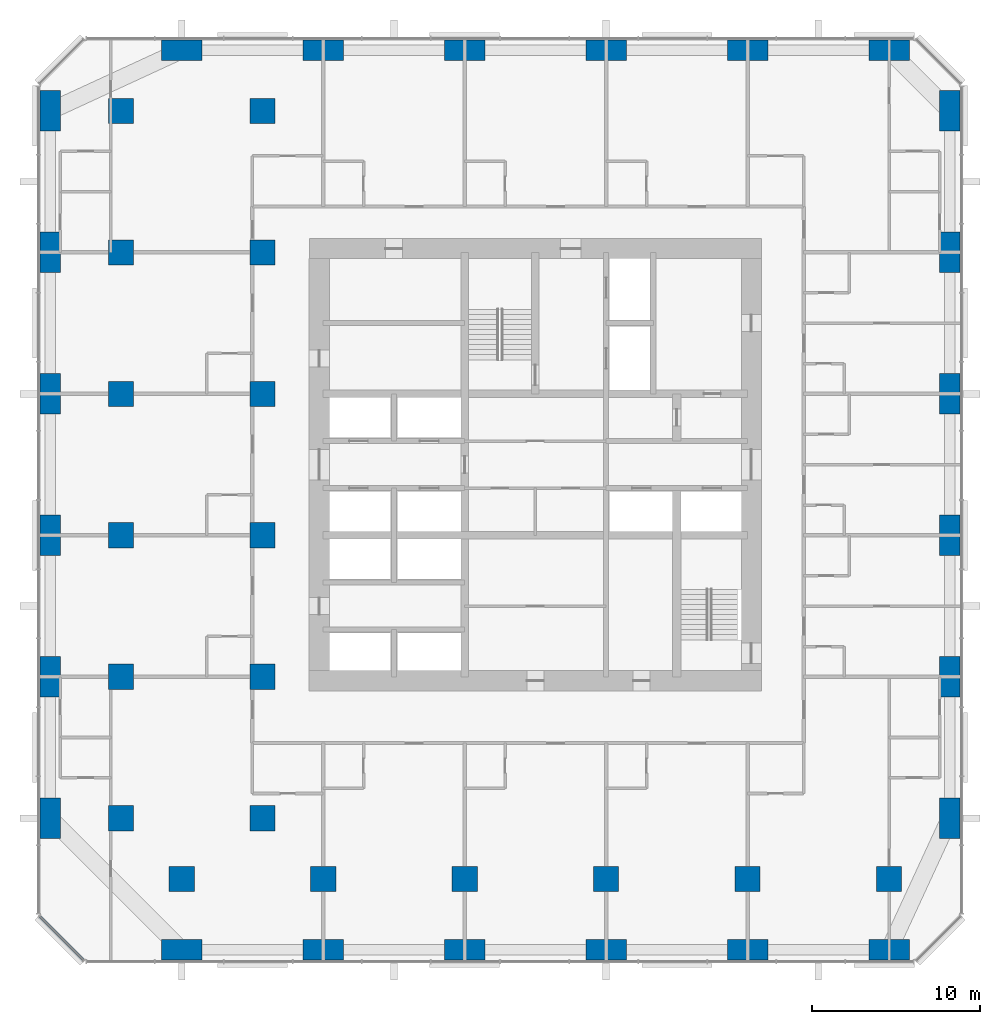
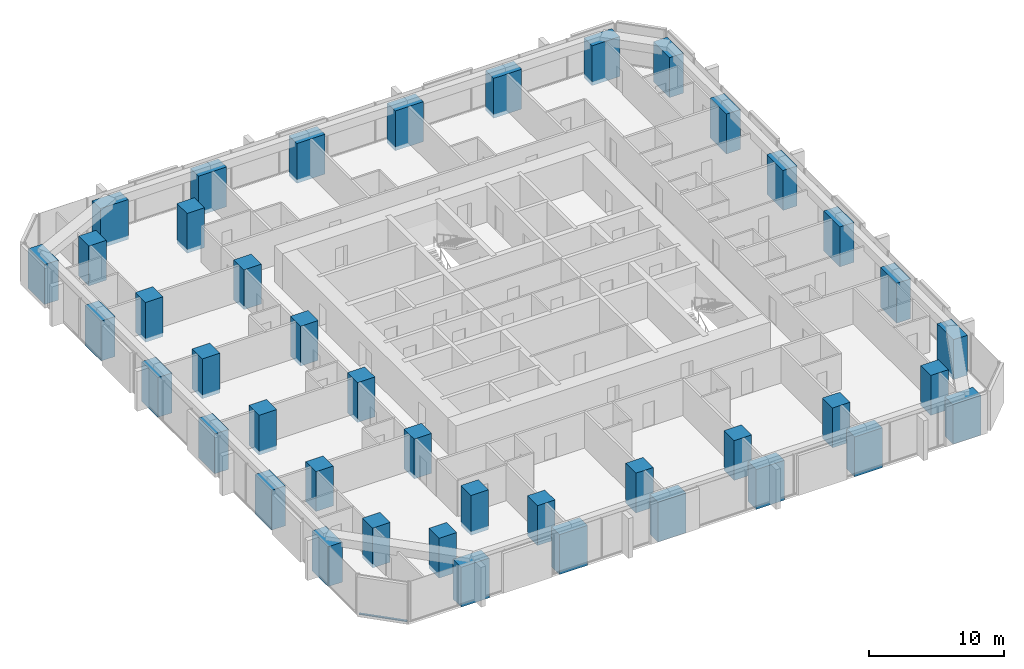
# One storey, part 1 of 13: 42 columns, 1 member, 1 element without a shape of its own.
"""IFC4 building model written with IfcOpenShell, lengths in metres."""

from ifc_helpers import new_model, si_unit, direction, frame, origin, origin_2d, place, context, subcontext, project, spatial, rectangle, extrude, material, material_profile, profile_set, type_object, element, aggregate, save


model = new_model("IFC4")

# Units and contexts
model_context = context("Model", 3, precision=1e-05, world=origin(), true_north=direction((0.0, 1.0)))
body_context = subcontext(model_context, "Body", "Model", "MODEL_VIEW")
ifc_project = project(units=[si_unit("LENGTHUNIT", "METRE"), si_unit("AREAUNIT", "SQUARE_METRE"), si_unit("VOLUMEUNIT", "CUBIC_METRE"), si_unit("PLANEANGLEUNIT", "RADIAN"), si_unit("MASSUNIT", "GRAM", prefix="KILO")], contexts=[model_context])

# Site, building, storey
site_placement = place(None, origin())
site = spatial("IfcSite", under=ifc_project, at=site_placement, CompositionType="ELEMENT")
building_placement = place(site_placement, origin())
building = spatial("IfcBuilding", under=site, at=building_placement, Name="Dunama Terrace Hotel", CompositionType="ELEMENT")
storey_placement = place(building_placement, frame((0.0, 0.0, 115.199951171875)))
storey = spatial("IfcBuildingStorey", under=building, at=storey_placement, Name="L29", CompositionType="ELEMENT", Elevation=115.199951171875)

# Columns
ifc_material_1 = material(Name="Concrete C60/75", Category="concrete")
ifc_material_profile_1 = material_profile(ifc_material_1, rectangle(XDim=1.199951171875, YDim=2.39990234375, at=origin_2d()), Name="RC 1200x2400")
ifc_profile_set_1 = profile_set([ifc_material_profile_1], Name="Concrete C60/75")
column_type_1 = type_object("IfcColumnType", Name="Column RC 1200x2400", PredefinedType="COLUMN", material=ifc_profile_set_1)
for number, where, z_axis, x_axis, name in (
    (1, (0.60009765625, 8.39990234375, -0.349853515625), (0.0, 0.0, 1.0), (1.0, 0.0, 0.0), "Column L29 +0.6/+8.4"),
    (2, (0.60009765625, 16.800048828125, -0.349853515625), (0.0, 0.0, 1.0), (1.0, 0.0, 0.0), "Column L29 +0.6/+16.8"),
    (3, (0.60009765625, 25.199951171875, -0.349853515625), (0.0, 0.0, 1.0), (1.0, 0.0, 0.0), "Column L29 +0.6/+25.2"),
    (4, (0.60009765625, 33.60009765625, -0.349853515625), (0.0, 0.0, 1.0), (1.0, 0.0, 0.0), "Column L29 +0.6/+33.6"),
    (5, (0.60009765625, 42.0, -0.349853515625), (0.0, 0.0, 1.0), (1.0, 0.0, 0.0), "Column L29 +0.6/+42.0"),
    (6, (0.60009765625, 50.39990234375, -0.349853515625), (0.0, 0.0, 1.0), (1.0, 0.0, 0.0), "Column L29 +0.6/+50.4"),
    (7, (54.0, 8.39990234375, -0.349853515625), (0.0, 0.0, 1.0), (1.0, 0.0, 0.0), "Column L29 +54.0/+8.4"),
    (8, (54.0, 16.800048828125, -0.349853515625), (0.0, 0.0, 1.0), (1.0, 0.0, 0.0), "Column L29 +54.0/+16.8"),
    (9, (54.0, 25.199951171875, -0.349853515625), (0.0, 0.0, 1.0), (1.0, 0.0, 0.0), "Column L29 +54.0/+25.2"),
    (10, (54.0, 33.60009765625, -0.349853515625), (0.0, 0.0, 1.0), (1.0, 0.0, 0.0), "Column L29 +54.0/+33.6"),
    (11, (54.0, 42.0, -0.349853515625), (0.0, 0.0, 1.0), (1.0, 0.0, 0.0), "Column L29 +54.0/+42.0"),
    (12, (54.0, 50.39990234375, -0.349853515625), (0.0, 0.0, 1.0), (1.0, 0.0, 0.0), "Column L29 +54.0/+50.4"),
):
    element("IfcColumn", number, at=place(storey_placement, frame(where, z_axis=z_axis, x_axis=x_axis)), inside=storey, type_object=column_type_1, Name=name, PredefinedType="COLUMN", context=body_context, shape_type="SweptSolid", body=[
        extrude(rectangle(XDim=1.199951171875, YDim=2.39990234375, at=origin_2d()), origin(), (0.0, 0.0, 1.0), 3.599853515625),
    ])
ifc_material_2 = material(Name="Concrete C60/75", Category="concrete")
ifc_material_profile_2 = material_profile(ifc_material_2, rectangle(XDim=1.5, YDim=1.5, at=origin_2d()), Name="RC 1500x1500")
ifc_profile_set_2 = profile_set([ifc_material_profile_2], Name="Concrete C60/75")
column_type_2 = type_object("IfcColumnType", Name="Column RC 1500x1500", PredefinedType="COLUMN", material=ifc_profile_set_2)
for number, where, z_axis, x_axis, name in (
    (13, (4.800048828125, 8.39990234375, -0.349853515625), (0.0, 0.0, 1.0), (1.0, 0.0, 0.0), "Column L29 +4.8/+8.4"),
    (14, (4.800048828125, 16.800048828125, -0.349853515625), (0.0, 0.0, 1.0), (1.0, 0.0, 0.0), "Column L29 +4.8/+16.8"),
    (15, (4.800048828125, 25.199951171875, -0.349853515625), (0.0, 0.0, 1.0), (1.0, 0.0, 0.0), "Column L29 +4.8/+25.2"),
    (16, (4.800048828125, 33.60009765625, -0.349853515625), (0.0, 0.0, 1.0), (1.0, 0.0, 0.0), "Column L29 +4.8/+33.6"),
    (17, (4.800048828125, 42.0, -0.349853515625), (0.0, 0.0, 1.0), (1.0, 0.0, 0.0), "Column L29 +4.8/+42.0"),
    (18, (4.800048828125, 50.39990234375, -0.349853515625), (0.0, 0.0, 1.0), (1.0, 0.0, 0.0), "Column L29 +4.8/+50.4"),
    (19, (8.39990234375, 4.800048828125, -0.349853515625), (0.0, 0.0, 1.0), (1.0, 0.0, 0.0), "Column L29 +8.4/+4.8"),
    (20, (13.199951171875, 8.39990234375, -0.349853515625), (0.0, 0.0, 1.0), (1.0, 0.0, 0.0), "Column L29 +13.2/+8.4"),
    (21, (13.199951171875, 16.800048828125, -0.349853515625), (0.0, 0.0, 1.0), (1.0, 0.0, 0.0), "Column L29 +13.2/+16.8"),
    (22, (13.199951171875, 25.199951171875, -0.349853515625), (0.0, 0.0, 1.0), (1.0, 0.0, 0.0), "Column L29 +13.2/+25.2"),
    (23, (13.199951171875, 33.60009765625, -0.349853515625), (0.0, 0.0, 1.0), (1.0, 0.0, 0.0), "Column L29 +13.2/+33.6"),
    (24, (13.199951171875, 42.0, -0.349853515625), (0.0, 0.0, 1.0), (1.0, 0.0, 0.0), "Column L29 +13.2/+42.0"),
    (25, (13.199951171875, 50.39990234375, -0.349853515625), (0.0, 0.0, 1.0), (1.0, 0.0, 0.0), "Column L29 +13.2/+50.4"),
    (26, (16.800048828125, 4.800048828125, -0.349853515625), (0.0, 0.0, 1.0), (1.0, 0.0, 0.0), "Column L29 +16.8/+4.8"),
    (27, (25.199951171875, 4.800048828125, -0.349853515625), (0.0, 0.0, 1.0), (1.0, 0.0, 0.0), "Column L29 +25.2/+4.8"),
    (28, (33.60009765625, 4.800048828125, -0.349853515625), (0.0, 0.0, 1.0), (1.0, 0.0, 0.0), "Column L29 +33.6/+4.8"),
    (29, (42.0, 4.800048828125, -0.349853515625), (0.0, 0.0, 1.0), (1.0, 0.0, 0.0), "Column L29 +42.0/+4.8"),
    (30, (50.39990234375, 4.800048828125, -0.349853515625), (0.0, 0.0, 1.0), (1.0, 0.0, 0.0), "Column L29 +50.4/+4.8"),
):
    element("IfcColumn", number, at=place(storey_placement, frame(where, z_axis=z_axis, x_axis=x_axis)), inside=storey, type_object=column_type_2, Name=name, PredefinedType="COLUMN", context=body_context, shape_type="SweptSolid", body=[
        extrude(rectangle(XDim=1.5, YDim=1.5, at=origin_2d()), origin(), (0.0, 0.0, 1.0), 3.599853515625),
    ])
ifc_material_3 = material(Name="Concrete C60/75", Category="concrete")
ifc_material_profile_3 = material_profile(ifc_material_3, rectangle(XDim=2.39990234375, YDim=1.199951171875, at=origin_2d()), Name="RC 2400x1200")
ifc_profile_set_3 = profile_set([ifc_material_profile_3], Name="Concrete C60/75")
column_type_3 = type_object("IfcColumnType", Name="Column RC 2400x1200", PredefinedType="COLUMN", material=ifc_profile_set_3)
for number, where, z_axis, x_axis, name in (
    (31, (8.39990234375, 0.60009765625, -0.349853515625), (0.0, 0.0, 1.0), (1.0, 0.0, 0.0), "Column L29 +8.4/+0.6"),
    (32, (8.39990234375, 54.0, -0.349853515625), (0.0, 0.0, 1.0), (1.0, 0.0, 0.0), "Column L29 +8.4/+54.0"),
    (33, (16.800048828125, 0.60009765625, -0.349853515625), (0.0, 0.0, 1.0), (1.0, 0.0, 0.0), "Column L29 +16.8/+0.6"),
    (34, (16.800048828125, 54.0, -0.349853515625), (0.0, 0.0, 1.0), (1.0, 0.0, 0.0), "Column L29 +16.8/+54.0"),
    (35, (25.199951171875, 0.60009765625, -0.349853515625), (0.0, 0.0, 1.0), (1.0, 0.0, 0.0), "Column L29 +25.2/+0.6"),
    (36, (25.199951171875, 54.0, -0.349853515625), (0.0, 0.0, 1.0), (1.0, 0.0, 0.0), "Column L29 +25.2/+54.0"),
    (37, (33.60009765625, 0.60009765625, -0.349853515625), (0.0, 0.0, 1.0), (1.0, 0.0, 0.0), "Column L29 +33.6/+0.6"),
    (38, (33.60009765625, 54.0, -0.349853515625), (0.0, 0.0, 1.0), (1.0, 0.0, 0.0), "Column L29 +33.6/+54.0"),
    (39, (42.0, 0.60009765625, -0.349853515625), (0.0, 0.0, 1.0), (1.0, 0.0, 0.0), "Column L29 +42.0/+0.6"),
    (40, (42.0, 54.0, -0.349853515625), (0.0, 0.0, 1.0), (1.0, 0.0, 0.0), "Column L29 +42.0/+54.0"),
    (41, (50.39990234375, 0.60009765625, -0.349853515625), (0.0, 0.0, 1.0), (1.0, 0.0, 0.0), "Column L29 +50.4/+0.6"),
    (42, (50.39990234375, 54.0, -0.349853515625), (0.0, 0.0, 1.0), (1.0, 0.0, 0.0), "Column L29 +50.4/+54.0"),
):
    element("IfcColumn", number, at=place(storey_placement, frame(where, z_axis=z_axis, x_axis=x_axis)), inside=storey, type_object=column_type_3, Name=name, PredefinedType="COLUMN", context=body_context, shape_type="SweptSolid", body=[
        extrude(rectangle(XDim=2.39990234375, YDim=1.199951171875, at=origin_2d()), origin(), (0.0, 0.0, 1.0), 3.599853515625),
    ])

# Curtain wall, member
ifc_material_4 = material(Name="Aluminium curtain wall system", Category="aluminium")
curtain_wall_type = type_object("IfcCurtainWallType", Name="Unitised fritted glass wall CW-B", PredefinedType="NOTDEFINED", material=ifc_material_4)
curtain_wall_placement = place(storey_placement, origin())
curtain_wall = element("IfcCurtainWall", 43, at=curtain_wall_placement, inside=storey, type_object=curtain_wall_type, Name="Unitised fritted glass wall CW-B L29", PredefinedType="NOTDEFINED")
ifc_material_5 = material(Name="Aluminium transom", Category="aluminium")
ifc_material_profile_4 = material_profile(ifc_material_5, rectangle(XDim=0.179931640625, YDim=0.080078125, at=origin_2d()), Name="CWB TRANSOM 180X80")
ifc_profile_set_4 = profile_set([ifc_material_profile_4], Name="Aluminium transom")
member_type = type_object("IfcMemberType", Name="CWB transom 180x80", PredefinedType="USERDEFINED", material=ifc_profile_set_4)
member_placement = place(storey_placement, frame((-0.031982421875, 2.575927734375, 0.0400390625), z_axis=(0.707106781187, -0.707106781187, 0.0), x_axis=(0.707106781187, 0.707106781187, 0.0)))
member = element("IfcMember", 44, at=member_placement, type_object=member_type, Name="CWB transom", ObjectType="TRANSOM", PredefinedType="USERDEFINED", context=body_context, shape_type="SweptSolid", body=[
    extrude(rectangle(XDim=0.179931640625, YDim=0.080078125, at=origin_2d()), origin(), (0.0, 0.0, 1.0), 3.688232421875),
])
aggregate(curtain_wall, [member])

save(model, "model.ifc")
